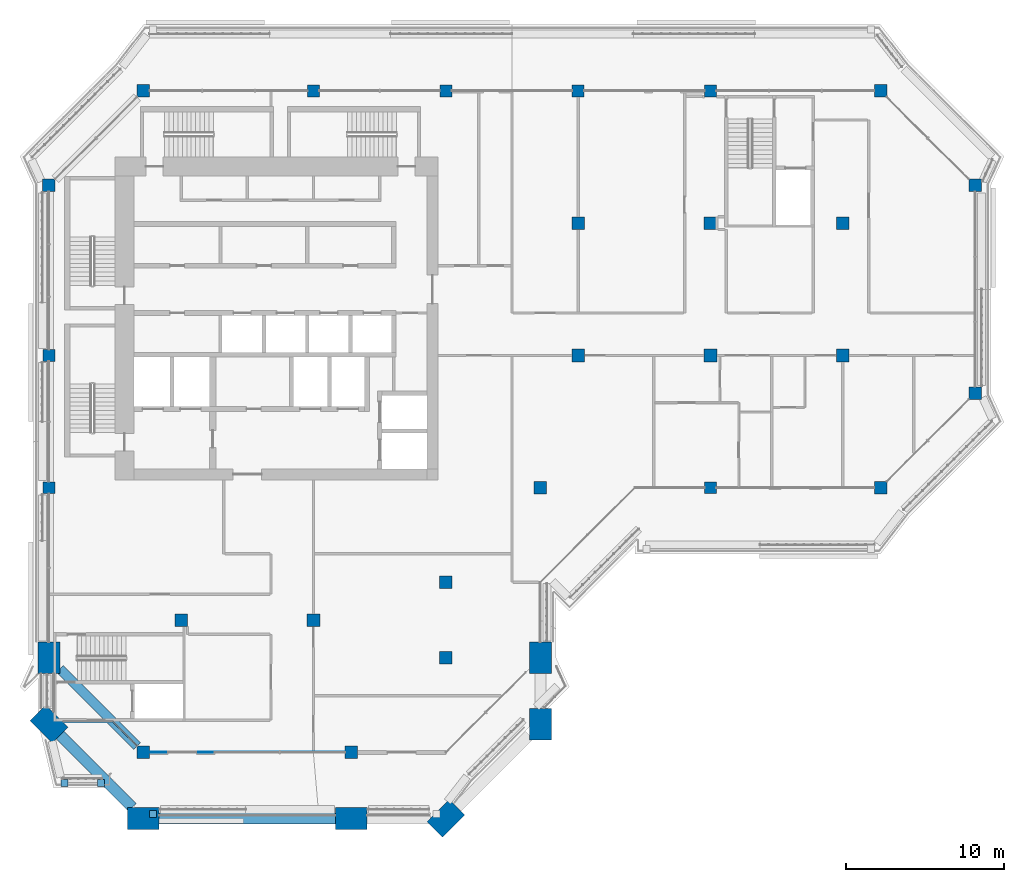
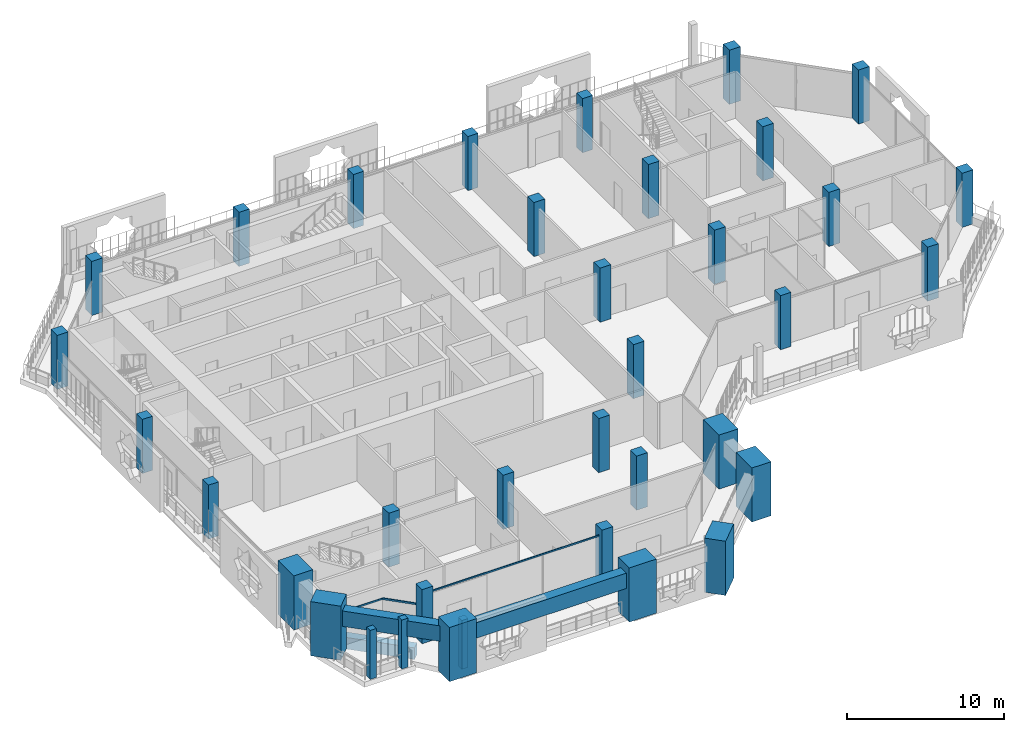
# One storey, part 1 of 22: 33 columns, 6 members, 3 beams, 4 elements without a shape of their own.
"""IFC4 building model written with IfcOpenShell, lengths in metres."""

from ifc_helpers import new_model, si_unit, direction, frame, origin, origin_2d, place, context, subcontext, project, spatial, rectangle, extrude, material, layer, layer_set, material_profile, profile_set, type_object, element, aggregate, save


model = new_model("IFC4")

# Units and contexts
model_context = context("Model", 3, precision=1e-05, world=origin(), true_north=direction((0.0, 1.0)))
body_context = subcontext(model_context, "Body", "Model", "MODEL_VIEW")
ifc_project = project(units=[si_unit("LENGTHUNIT", "METRE"), si_unit("AREAUNIT", "SQUARE_METRE"), si_unit("VOLUMEUNIT", "CUBIC_METRE"), si_unit("PLANEANGLEUNIT", "RADIAN"), si_unit("MASSUNIT", "GRAM", prefix="KILO")], contexts=[model_context])

# Site, building, storey
site_placement = place(None, origin())
site = spatial("IfcSite", under=ifc_project, at=site_placement, CompositionType="ELEMENT")
building_placement = place(site_placement, origin())
building = spatial("IfcBuilding", under=site, at=building_placement, Name="Kawkab Arch Medical Tower", CompositionType="ELEMENT")
storey_placement = place(building_placement, frame((0.0, 0.0, 294.39990234375)))
storey = spatial("IfcBuildingStorey", under=building, at=storey_placement, Name="L68", CompositionType="ELEMENT", Elevation=294.39990234375)

# Columns
ifc_material_1 = material(Name="Concrete C40/50", Category="concrete")
ifc_material_profile_1 = material_profile(ifc_material_1, rectangle(XDim=2.0, YDim=1.39990234375, at=origin_2d()), Name="RC 2000x1400")
ifc_profile_set_1 = profile_set([ifc_material_profile_1], Name="Concrete C40/50")
column_type_1 = type_object("IfcColumnType", Name="RC 2000x1400 column C40/50", PredefinedType="COLUMN", material=ifc_profile_set_1)
for number, where, z_axis, x_axis, name in (
    (1, (0.0, -36.0, 0.0), (0.0, 0.0, 1.0), (0.0, 1.0, 0.0), "Column RC 2000x1400"),
    (2, (31.199951171875, -36.0, 0.0), (0.0, 0.0, 1.0), (0.0, -1.0, 0.0), "Column RC 2000x1400"),
    (3, (31.199951171875, -40.199951171875, 0.0), (0.0, 0.0, 1.0), (0.0, -1.0, 0.0), "Column RC 2000x1400"),
    (4, (25.199951171875, -46.199951171875, 0.0), (0.0, 0.0, 1.0), (-0.707106781187, -0.707106781187, 0.0), "Column RC 2000x1400"),
    (5, (19.199951171875, -46.199951171875, 0.0), (0.0, 0.0, 1.0), (-1.0, 0.0, 0.0), "Column RC 2000x1400"),
    (6, (6.0, -46.199951171875, 0.0), (0.0, 0.0, 1.0), (-1.0, 0.0, 0.0), "Column RC 2000x1400"),
    (7, (0.0, -40.199951171875, 0.0), (0.0, 0.0, 1.0), (-0.707106781187, 0.707106781187, 0.0), "Column RC 2000x1400"),
):
    element("IfcColumn", number, at=place(storey_placement, frame(where, z_axis=z_axis, x_axis=x_axis)), inside=storey, type_object=column_type_1, Name=name, PredefinedType="COLUMN", context=body_context, shape_type="SweptSolid", body=[
        extrude(rectangle(XDim=2.0, YDim=1.39990234375, at=origin_2d()), origin(), (0.0, 0.0, 1.0), 4.2001953125),
    ])
ifc_material_2 = material(Name="Concrete C40/50", Category="concrete")
ifc_material_profile_2 = material_profile(ifc_material_2, rectangle(XDim=0.75, YDim=0.75, at=origin_2d()), Name="RC 750x750")
ifc_profile_set_2 = profile_set([ifc_material_profile_2], Name="Concrete C40/50")
column_type_2 = type_object("IfcColumnType", Name="RC 750x750 column C40/50", PredefinedType="COLUMN", material=ifc_profile_set_2)
for number, where, z_axis, x_axis, name in (
    (8, (16.800048828125, 0.0, 0.0), (0.0, 0.0, 1.0), (1.0, 0.0, 0.0), "Column RC 750x750"),
    (9, (25.199951171875, 0.0, 0.0), (0.0, 0.0, 1.0), (1.0, 0.0, 0.0), "Column RC 750x750"),
    (10, (33.60009765625, 0.0, 0.0), (0.0, 0.0, 1.0), (1.0, 0.0, 0.0), "Column RC 750x750"),
    (11, (42.0, 0.0, 0.0), (0.0, 0.0, 1.0), (1.0, 0.0, 0.0), "Column RC 750x750"),
    (12, (0.0, -16.800048828125, 0.0), (0.0, 0.0, 1.0), (1.0, 0.0, 0.0), "Column RC 750x750"),
    (13, (0.0, -25.199951171875, 0.0), (0.0, 0.0, 1.0), (1.0, 0.0, 0.0), "Column RC 750x750"),
    (14, (42.0, -25.199951171875, 0.0), (0.0, 0.0, 1.0), (1.0, 0.0, 0.0), "Column RC 750x750"),
):
    element("IfcColumn", number, at=place(storey_placement, frame(where, z_axis=z_axis, x_axis=x_axis)), inside=storey, type_object=column_type_2, Name=name, PredefinedType="COLUMN", context=body_context, shape_type="SweptSolid", body=[
        extrude(rectangle(XDim=0.75, YDim=0.75, at=origin_2d()), origin(), (0.0, 0.0, 1.0), 4.2001953125),
    ])
ifc_material_3 = material(Name="Concrete C40/50", Category="concrete")
ifc_material_profile_3 = material_profile(ifc_material_3, rectangle(XDim=0.800048828125, YDim=0.800048828125, at=origin_2d()), Name="RC 800x800")
ifc_profile_set_3 = profile_set([ifc_material_profile_3], Name="Concrete C40/50")
column_type_3 = type_object("IfcColumnType", Name="RC 800x800 column C40/50", PredefinedType="COLUMN", material=ifc_profile_set_3)
for number, where, z_axis, x_axis, name in (
    (15, (6.0, 0.0, 0.0), (0.0, 0.0, 1.0), (1.0, 0.0, 0.0), "Column RC 800x800"),
    (16, (52.800048828125, 0.0, 0.0), (0.0, 0.0, 1.0), (1.0, 0.0, 0.0), "Column RC 800x800"),
    (17, (0.0, -6.0, 0.0), (0.0, 0.0, 1.0), (1.0, 0.0, 0.0), "Column RC 800x800"),
    (18, (58.800048828125, -6.0, 0.0), (0.0, 0.0, 1.0), (1.0, 0.0, 0.0), "Column RC 800x800"),
    (19, (33.60009765625, -8.39990234375, 0.0), (0.0, 0.0, 1.0), (1.0, 0.0, 0.0), "Column RC 800x800"),
    (20, (42.0, -8.39990234375, 0.0), (0.0, 0.0, 1.0), (1.0, 0.0, 0.0), "Column RC 800x800"),
    (21, (50.39990234375, -8.39990234375, 0.0), (0.0, 0.0, 1.0), (1.0, 0.0, 0.0), "Column RC 800x800"),
    (22, (33.60009765625, -16.800048828125, 0.0), (0.0, 0.0, 1.0), (1.0, 0.0, 0.0), "Column RC 800x800"),
    (23, (42.0, -16.800048828125, 0.0), (0.0, 0.0, 1.0), (1.0, 0.0, 0.0), "Column RC 800x800"),
    (24, (50.39990234375, -16.800048828125, 0.0), (0.0, 0.0, 1.0), (1.0, 0.0, 0.0), "Column RC 800x800"),
    (25, (58.800048828125, -19.199951171875, 0.0), (0.0, 0.0, 1.0), (1.0, 0.0, 0.0), "Column RC 800x800"),
    (26, (31.199951171875, -25.199951171875, 0.0), (0.0, 0.0, 1.0), (1.0, 0.0, 0.0), "Column RC 800x800"),
    (27, (52.800048828125, -25.199951171875, 0.0), (0.0, 0.0, 1.0), (1.0, 0.0, 0.0), "Column RC 800x800"),
    (28, (25.199951171875, -31.199951171875, 0.0), (0.0, 0.0, 1.0), (1.0, 0.0, 0.0), "Column RC 800x800"),
    (29, (8.39990234375, -33.60009765625, 0.0), (0.0, 0.0, 1.0), (1.0, 0.0, 0.0), "Column RC 800x800"),
    (30, (16.800048828125, -33.60009765625, 0.0), (0.0, 0.0, 1.0), (1.0, 0.0, 0.0), "Column RC 800x800"),
    (31, (25.199951171875, -36.0, 0.0), (0.0, 0.0, 1.0), (1.0, 0.0, 0.0), "Column RC 800x800"),
    (32, (6.0, -42.0, 0.0), (0.0, 0.0, 1.0), (1.0, 0.0, 0.0), "Column RC 800x800"),
    (33, (19.199951171875, -42.0, 0.0), (0.0, 0.0, 1.0), (1.0, 0.0, 0.0), "Column RC 800x800"),
):
    element("IfcColumn", number, at=place(storey_placement, frame(where, z_axis=z_axis, x_axis=x_axis)), inside=storey, type_object=column_type_3, Name=name, PredefinedType="COLUMN", context=body_context, shape_type="SweptSolid", body=[
        extrude(rectangle(XDim=0.800048828125, YDim=0.800048828125, at=origin_2d()), origin(), (0.0, 0.0, 1.0), 4.2001953125),
    ])

# Curtain wall, member
ifc_material_4 = material(Name="Bronze anodised aluminium curtain wall frame", Category="aluminium")
ifc_layer_1 = layer(ifc_material_4, 0.159912109375)
ifc_layer_set_1 = layer_set([ifc_layer_1], Name="Bronze anodised aluminium curtain wall frame")
curtain_wall_type_1 = type_object("IfcCurtainWallType", Name="CW1 ward curtain wall", PredefinedType="NOTDEFINED", material=ifc_layer_set_1)
placement = place(storey_placement, origin())
curtain_wall_1 = element("IfcCurtainWall", 34, at=placement, inside=storey, type_object=curtain_wall_type_1, Name="CW1 Ward curtain wall R05", PredefinedType="NOTDEFINED")
ifc_material_5 = material(Name="Bronze anodised aluminium curtain wall frame", Category="aluminium")
ifc_material_profile_4 = material_profile(ifc_material_5, rectangle(XDim=0.06005859375, YDim=0.1201171875, at=origin_2d()), Name="AL 60x120")
ifc_profile_set_4 = profile_set([ifc_material_profile_4], Name="Bronze anodised aluminium curtain wall frame")
member_type_1 = type_object("IfcMemberType", Name="CW1 transom 120 x 60", PredefinedType="USERDEFINED", material=ifc_profile_set_4)
member_1_placement = place(storey_placement, frame((0.93994140625, -40.050048828125, 2.64013671875), z_axis=(1.0, 0.0, 0.0), x_axis=(0.0, 1.0, 0.0)))
member_1 = element("IfcMember", 35, at=member_1_placement, type_object=member_type_1, Name="CW1 transom 1", ObjectType="TRANSOM", PredefinedType="USERDEFINED", context=body_context, shape_type="SweptSolid", body=[
    extrude(rectangle(XDim=0.06005859375, YDim=0.1201171875, at=origin_2d()), origin(), (0.0, 0.0, 1.0), 3.110107421875),
])
aggregate(curtain_wall_1, [member_1])

curtain_wall_2 = element("IfcCurtainWall", 36, at=placement, inside=storey, type_object=curtain_wall_type_1, Name="CW1 Ward curtain wall R07", PredefinedType="NOTDEFINED")
member_2_placement = place(storey_placement, frame((6.39990234375, -42.0, 3.5400390625), z_axis=(1.0, 0.0, 0.0), x_axis=(0.0, 1.0, 0.0)))
member_2 = element("IfcMember", 37, at=member_2_placement, type_object=member_type_1, Name="CW1 transom 1", ObjectType="TRANSOM", PredefinedType="USERDEFINED", context=body_context, shape_type="SweptSolid", body=[
    extrude(rectangle(XDim=0.06005859375, YDim=0.1201171875, at=origin_2d()), origin(), (0.0, 0.0, 1.0), 12.400146484375),
])
aggregate(curtain_wall_2, [member_2])

ifc_material_6 = material(Name="Bronze anodised aluminium curtain wall frame", Category="aluminium")
ifc_layer_2 = layer(ifc_material_6, 0.159912109375)
ifc_layer_set_2 = layer_set([ifc_layer_2], Name="Bronze anodised aluminium curtain wall frame")
curtain_wall_type_2 = type_object("IfcCurtainWallType", Name="CW2 chamfer curtain wall", PredefinedType="NOTDEFINED", material=ifc_layer_set_2)
curtain_wall_3 = element("IfcCurtainWall", 38, at=placement, inside=storey, type_object=curtain_wall_type_2, Name="CW2 Chamfer curtain wall R06", PredefinedType="NOTDEFINED")
ifc_material_7 = material(Name="Bronze anodised aluminium curtain wall frame", Category="aluminium")
ifc_material_profile_5 = material_profile(ifc_material_7, rectangle(XDim=0.06005859375, YDim=0.139892578125, at=origin_2d()), Name="AL 60x140")
ifc_profile_set_5 = profile_set([ifc_material_profile_5], Name="Bronze anodised aluminium curtain wall frame")
member_type_2 = type_object("IfcMemberType", Name="CW2 transom 140 x 60", PredefinedType="USERDEFINED", material=ifc_profile_set_5)
member_3_placement = place(storey_placement, frame((4.050048828125, -40.050048828125, 2.630126953125), z_axis=(0.707106781187, -0.707106781187, 0.0), x_axis=(0.707106781187, 0.707106781187, 0.0)))
member_3 = element("IfcMember", 39, at=member_3_placement, type_object=member_type_2, Name="CW2 transom 1", ObjectType="TRANSOM", PredefinedType="USERDEFINED", context=body_context, shape_type="SweptSolid", body=[
    extrude(rectangle(XDim=0.06005859375, YDim=0.139892578125, at=origin_2d()), origin(), (0.0, 0.0, 1.0), 2.192138671875),
])
aggregate(curtain_wall_3, [member_3])

# Curtain wall, members
ifc_material_8 = material(Name="Bronze anodised aluminium climber frame, planted", Category="aluminium")
ifc_layer_3 = layer(ifc_material_8, 0.449951171875)
ifc_layer_set_3 = layer_set([ifc_layer_3], Name="Bronze anodised aluminium climber frame, planted")
curtain_wall_type_3 = type_object("IfcCurtainWallType", Name="Planted climber frame", PredefinedType="NOTDEFINED", material=ifc_layer_set_3)
curtain_wall_4 = element("IfcCurtainWall", 40, at=placement, inside=storey, type_object=curtain_wall_type_3, Name="Planted climber frame L68", PredefinedType="NOTDEFINED")
ifc_material_9 = material(Name="Bronze anodised aluminium climber frame, planted", Category="aluminium")
ifc_material_profile_6 = material_profile(ifc_material_9, rectangle(XDim=0.449951171875, YDim=0.449951171875, at=origin_2d()), Name="Post 450x450")
ifc_profile_set_6 = profile_set([ifc_material_profile_6], Name="Bronze anodised aluminium climber frame, planted")
member_type_3 = type_object("IfcMemberType", Name="Planted climber post 450 x 450", PredefinedType="MULLION", material=ifc_profile_set_6)
member_4_placement = place(storey_placement, frame((3.300048828125, -43.949951171875, 0.0), z_axis=(0.0, 0.0, 1.0), x_axis=(1.0, 0.0, 0.0)))
member_4 = element("IfcMember", 41, at=member_4_placement, type_object=member_type_3, Name="Planted climber post L68.LOG-01-01.1", PredefinedType="MULLION", context=body_context, shape_type="SweptSolid", body=[
    extrude(rectangle(XDim=0.449951171875, YDim=0.449951171875, at=origin_2d()), origin(), (0.0, 0.0, 1.0), 3.800048828125),
])
member_5_placement = place(storey_placement, frame((0.987060546875, -43.949951171875, 0.0), z_axis=(0.0, 0.0, 1.0), x_axis=(1.0, 0.0, 0.0)))
member_5 = element("IfcMember", 42, at=member_5_placement, type_object=member_type_3, Name="Planted climber post L68.LOG-01-01.2", PredefinedType="MULLION", context=body_context, shape_type="SweptSolid", body=[
    extrude(rectangle(XDim=0.449951171875, YDim=0.449951171875, at=origin_2d()), origin(), (0.0, 0.0, 1.0), 3.800048828125),
])
member_6_placement = place(storey_placement, frame((6.596923828125, -45.89990234375, 0.0), z_axis=(0.0, 0.0, 1.0), x_axis=(1.0, 0.0, 0.0)))
member_6 = element("IfcMember", 43, at=member_6_placement, type_object=member_type_3, Name="Planted climber post L68.LOG-01-01.8", PredefinedType="MULLION", context=body_context, shape_type="SweptSolid", body=[
    extrude(rectangle(XDim=0.449951171875, YDim=0.449951171875, at=origin_2d()), origin(), (0.0, 0.0, 1.0), 3.800048828125),
])
aggregate(curtain_wall_4, [member_4, member_5, member_6])

# Beams
ifc_material_10 = material(Name="Concrete C40/50", Category="concrete")
ifc_material_profile_7 = material_profile(ifc_material_10, rectangle(XDim=0.60009765625, YDim=0.89990234375, at=origin_2d()), Name="RC 600x900")
ifc_profile_set_7 = profile_set([ifc_material_profile_7], Name="Concrete C40/50")
beam_type_1 = type_object("IfcBeamType", Name="RC 600x900 beam C40/50", PredefinedType="BEAM", material=ifc_profile_set_7)
beam_1_placement = place(storey_placement, frame((5.60009765625, -41.60009765625, -1.0498046875), z_axis=(-0.707106781187, 0.707106781187, 0.0), x_axis=(-0.707106781187, -0.707106781187, 0.0)))
element("IfcBeam", 44, at=beam_1_placement, inside=storey, type_object=beam_type_1, Name="Overhang edge beam L68-02", PredefinedType="BEAM", context=body_context, shape_type="SweptSolid", body=[
    extrude(rectangle(XDim=0.60009765625, YDim=0.89990234375, at=origin_2d()), origin(), (0.0, 0.0, 1.0), 6.929931640625),
])
ifc_material_11 = material(Name="Concrete C40/50", Category="concrete")
ifc_material_profile_8 = material_profile(ifc_material_11, rectangle(XDim=0.699951171875, YDim=1.199951171875, at=origin_2d()), Name="RC 700x1200")
ifc_profile_set_8 = profile_set([ifc_material_profile_8], Name="Concrete C40/50")
beam_type_2 = type_object("IfcBeamType", Name="RC 700x1200 beam C40/50", PredefinedType="BEAM", material=ifc_profile_set_8)
beam_2_placement = place(storey_placement, frame((18.199951171875, -46.199951171875, 3.0), z_axis=(-1.0, 0.0, 0.0), x_axis=(0.0, -1.0, 0.0)))
element("IfcBeam", 45, at=beam_2_placement, inside=storey, type_object=beam_type_2, Name="Terrace frame beam TF-L67-1-L69-04", PredefinedType="BEAM", context=body_context, shape_type="SweptSolid", body=[
    extrude(rectangle(XDim=0.699951171875, YDim=1.199951171875, at=origin_2d()), origin(), (0.0, 0.0, 1.0), 11.199951171875),
])
beam_3_placement = place(storey_placement, frame((5.300048828125, -45.5, 3.0), z_axis=(-0.707106781187, 0.707106781187, 0.0), x_axis=(-0.707106781187, -0.707106781187, 0.0)))
element("IfcBeam", 46, at=beam_3_placement, inside=storey, type_object=beam_type_2, Name="Terrace frame beam TF-L67-1-L69-05", PredefinedType="BEAM", context=body_context, shape_type="SweptSolid", body=[
    extrude(rectangle(XDim=0.699951171875, YDim=1.199951171875, at=origin_2d()), origin(), (0.0, 0.0, 1.0), 6.49560546875),
])

save(model, "model.ifc")
